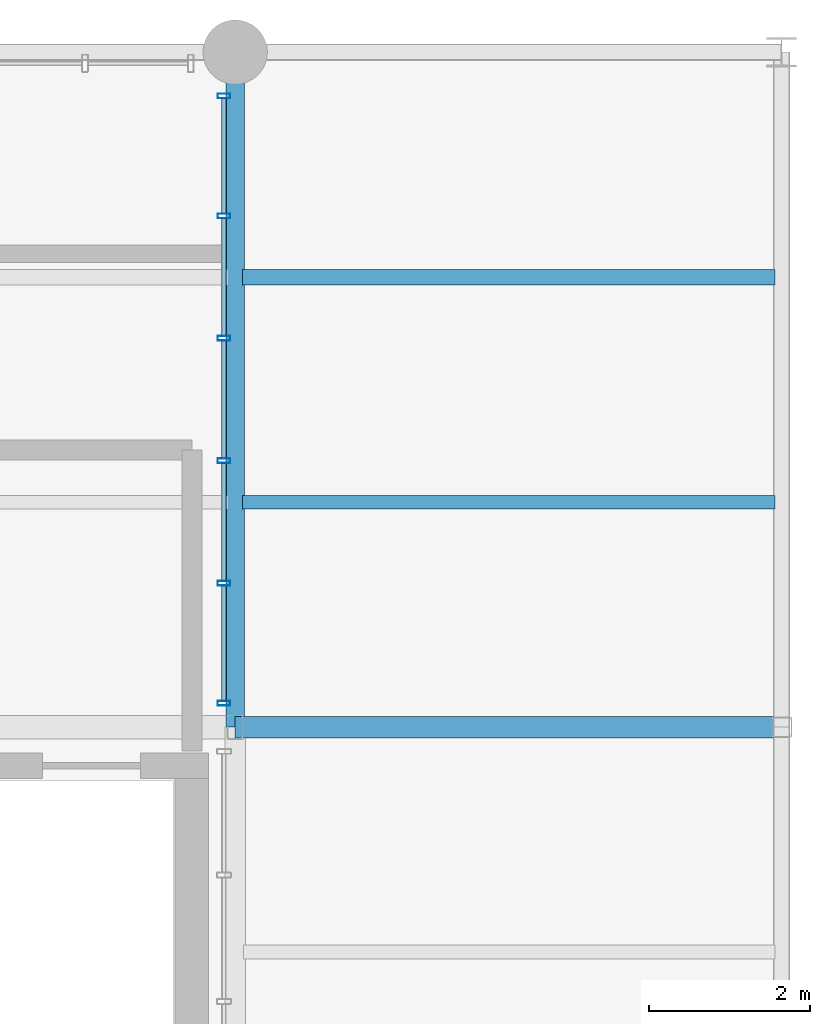
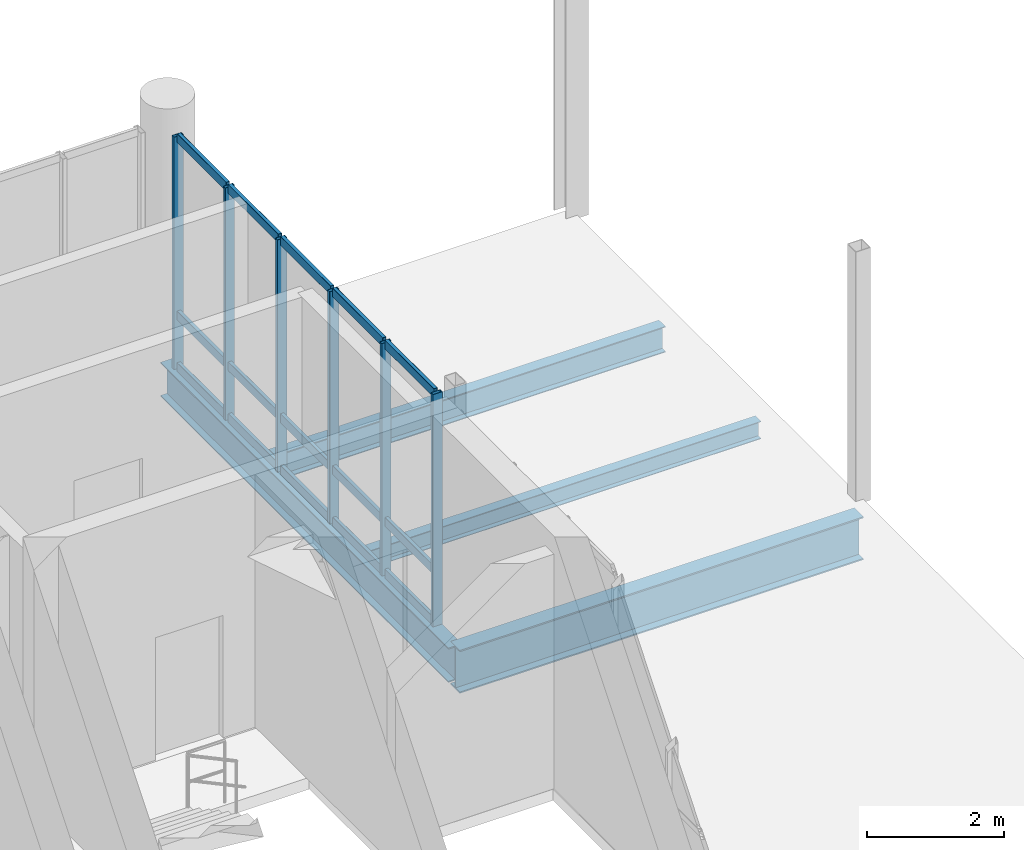
# One storey, part 46 of 68: 21 members, 4 beams, 1 element without a shape of its own.
"""IFC4 building model written with IfcOpenShell, lengths in metres."""

from ifc_helpers import new_model, si_unit, direction, frame, origin_with_axes, origin_2d_with_axis, place, context, subcontext, project, spatial, hollow_rectangle, i_section, extrude, material, material_profile, profile_set, type_object, element, aggregate, save


model = new_model("IFC4")

# Units and contexts
model_context = context("Model", 3, precision=1e-05, world=origin_with_axes(), true_north=direction((0.0, 1.0)))
body_context = subcontext(model_context, "Body", "Model", "MODEL_VIEW")
ifc_project = project(units=[si_unit("LENGTHUNIT", "METRE"), si_unit("AREAUNIT", "SQUARE_METRE"), si_unit("VOLUMEUNIT", "CUBIC_METRE"), si_unit("PLANEANGLEUNIT", "RADIAN"), si_unit("MASSUNIT", "GRAM", prefix="KILO"), si_unit("THERMODYNAMICTEMPERATUREUNIT", "KELVIN")], contexts=[model_context])

# Site, building, storey
site_placement = place(None, origin_with_axes())
site = spatial("IfcSite", under=ifc_project, at=site_placement, CompositionType="ELEMENT")
building_placement = place(site_placement, origin_with_axes())
building = spatial("IfcBuilding", under=site, at=building_placement, Name="Montbau Bow Law Courts", CompositionType="ELEMENT")
storey_placement = place(building_placement, frame((0.0, 0.0, 20.4), z_axis=(0.0, 0.0, 1.0), x_axis=(1.0, 0.0, 0.0)))
storey = spatial("IfcBuildingStorey", under=building, at=storey_placement, Name="L04", CompositionType="ELEMENT", Elevation=20.4)

# Beams
ifc_material_1 = material(Name="Steel CSA G40.21 Grade 350W (350 MPa)", Category="steel")
ifc_material_profile_1 = material_profile(ifc_material_1, i_section(OverallWidth=0.267, OverallDepth=0.766, WebThickness=0.0149, FlangeThickness=0.0236, at=origin_2d_with_axis()), Name="W760X185", Category="Main", Priority=0)
ifc_profile_set_1 = profile_set([ifc_material_profile_1], Name="Steel CSA G40.21 Grade 350W (350 MPa)")
beam_type_1 = type_object("IfcBeamType", Name="B-FLR-03", PredefinedType="BEAM", material=ifc_profile_set_1)
beam_1_placement = place(None, frame((162.6, 94.8, 19.767), z_axis=(1.0, 0.0, 0.0), x_axis=(0.0, 1.0, 0.0)))
element("IfcBeam", 1, at=beam_1_placement, inside=storey, type_object=beam_type_1, Name="BM-L04-S1260:bm2_1263", PredefinedType="BEAM", context=body_context, shape_type="SweptSolid", body=[
    extrude(i_section(OverallWidth=0.267, OverallDepth=0.766, WebThickness=0.0149, FlangeThickness=0.0236, at=origin_2d_with_axis()), origin_with_axes(), (0.0, 0.0, 1.0), 6.8),
])
ifc_material_profile_2 = material_profile(ifc_material_1, i_section(OverallWidth=0.229, OverallDepth=0.612, WebThickness=0.0119, FlangeThickness=0.0196, at=origin_2d_with_axis()), Name="W610X125", Category="Main", Priority=0)
ifc_profile_set_2 = profile_set([ifc_material_profile_2], Name="Steel CSA G40.21 Grade 350W (350 MPa)")
beam_type_2 = type_object("IfcBeamType", Name="B-FLR-05", PredefinedType="BEAM", material=ifc_profile_set_2)
beam_2_placement = place(None, frame((162.6, 94.8, 19.844), z_axis=(0.0, 1.0, 0.0), x_axis=(-1.0, 0.0, 0.0)))
element("IfcBeam", 2, at=beam_2_placement, inside=storey, type_object=beam_type_2, Name="BM-L04-S1280:bm2_1283", PredefinedType="BEAM", context=body_context, shape_type="SweptSolid", body=[
    extrude(i_section(OverallWidth=0.229, OverallDepth=0.612, WebThickness=0.0119, FlangeThickness=0.0196, at=origin_2d_with_axis()), origin_with_axes(), (0.0, 0.0, 1.0), 8.4),
])
ifc_material_profile_3 = material_profile(ifc_material_1, i_section(OverallWidth=0.191, OverallDepth=0.46, WebThickness=0.0099, FlangeThickness=0.016, at=origin_2d_with_axis()), Name="W460X82", Category="Main", Priority=0)
ifc_profile_set_3 = profile_set([ifc_material_profile_3], Name="Steel CSA G40.21 Grade 350W (350 MPa)")
beam_type_3 = type_object("IfcBeamType", Name="B-JST-01", PredefinedType="JOIST", material=ifc_profile_set_3)
beam_3_placement = place(None, frame((162.69, 100.4, 19.92), z_axis=(1.0, 0.0, 0.0), x_axis=(0.0, 1.0, 0.0)))
element("IfcBeam", 3, at=beam_3_placement, inside=storey, type_object=beam_type_3, Name="JST-L04-S0692:jst2_0692", PredefinedType="JOIST", context=body_context, shape_type="SweptSolid", body=[
    extrude(i_section(OverallWidth=0.191, OverallDepth=0.46, WebThickness=0.0099, FlangeThickness=0.016, at=origin_2d_with_axis()), origin_with_axes(), (0.0, 0.0, 1.0), 6.63),
])
ifc_material_profile_4 = material_profile(ifc_material_1, i_section(OverallWidth=0.166, OverallDepth=0.313, WebThickness=0.0066, FlangeThickness=0.0112, at=origin_2d_with_axis()), Name="W310X45", Category="Main", Priority=0)
ifc_profile_set_4 = profile_set([ifc_material_profile_4], Name="Steel CSA G40.21 Grade 350W (350 MPa)")
beam_type_4 = type_object("IfcBeamType", Name="B-JST-04", PredefinedType="JOIST", material=ifc_profile_set_4)
beam_4_placement = place(None, frame((162.69, 97.6, 19.993), z_axis=(1.0, 0.0, 0.0), x_axis=(0.0, 1.0, 0.0)))
element("IfcBeam", 4, at=beam_4_placement, inside=storey, type_object=beam_type_4, Name="JST-L04-S0691:jst2_0691", PredefinedType="JOIST", context=body_context, shape_type="SweptSolid", body=[
    extrude(i_section(OverallWidth=0.166, OverallDepth=0.313, WebThickness=0.0066, FlangeThickness=0.0112, at=origin_2d_with_axis()), origin_with_axes(), (0.0, 0.0, 1.0), 6.63),
])

# Curtain wall, members
ifc_material_2 = material(Name="Thermally Broken Extruded Aluminium AA 6063-T6", Category="aluminium")
curtain_wall_type = type_object("IfcCurtainWallType", Name="CW-NCK-01", PredefinedType="NOTDEFINED", material=ifc_material_2)
curtain_wall_placement = place(None, frame((162.46, 95.067, 20.4), z_axis=(0.0, 0.0, 1.0), x_axis=(1.0, 0.0, 0.0)))
curtain_wall = element("IfcCurtainWall", 5, at=curtain_wall_placement, inside=storey, type_object=curtain_wall_type, Name="CW-L04-332:cw_0332", PredefinedType="NOTDEFINED")
ifc_material_profile_5 = material_profile(ifc_material_2, hollow_rectangle(XDim=0.06, YDim=0.16, WallThickness=0.004, InnerFilletRadius=0.008, OuterFilletRadius=0.004, at=origin_2d_with_axis()), Name="CWM-160X60", Category="Main", Priority=0)
ifc_profile_set_5 = profile_set([ifc_material_profile_5], Name="Thermally Broken Extruded Aluminium AA 6063-T6")
member_type_1 = type_object("IfcMemberType", Name="M-MUL-03", PredefinedType="MULLION", material=ifc_profile_set_5)
member_1_placement = place(None, frame((162.46, 95.097, 20.4), z_axis=(0.0, 0.0, 1.0), x_axis=(0.0, 1.0, 0.0)))
member_1 = element("IfcMember", 6, at=member_1_placement, type_object=member_type_1, Name="CW-L04-332-M01:cw_0332_M01", PredefinedType="MULLION", context=body_context, shape_type="SweptSolid", body=[
    extrude(hollow_rectangle(XDim=0.06, YDim=0.16, WallThickness=0.004, InnerFilletRadius=0.008, OuterFilletRadius=0.004, at=origin_2d_with_axis()), origin_with_axes(), (0.0, 0.0, 1.0), 4.14),
])
member_2_placement = place(None, frame((162.46, 96.591, 20.4), z_axis=(0.0, 0.0, 1.0), x_axis=(0.0, 1.0, 0.0)))
member_2 = element("IfcMember", 7, at=member_2_placement, type_object=member_type_1, Name="CW-L04-332-M02:cw_0332_M02", PredefinedType="MULLION", context=body_context, shape_type="SweptSolid", body=[
    extrude(hollow_rectangle(XDim=0.06, YDim=0.16, WallThickness=0.004, InnerFilletRadius=0.008, OuterFilletRadius=0.004, at=origin_2d_with_axis()), origin_with_axes(), (0.0, 0.0, 1.0), 4.14),
])
member_3_placement = place(None, frame((162.46, 98.114, 20.4), z_axis=(0.0, 0.0, 1.0), x_axis=(0.0, 1.0, 0.0)))
member_3 = element("IfcMember", 8, at=member_3_placement, type_object=member_type_1, Name="CW-L04-332-M03:cw_0332_M03", PredefinedType="MULLION", context=body_context, shape_type="SweptSolid", body=[
    extrude(hollow_rectangle(XDim=0.06, YDim=0.16, WallThickness=0.004, InnerFilletRadius=0.008, OuterFilletRadius=0.004, at=origin_2d_with_axis()), origin_with_axes(), (0.0, 0.0, 1.0), 4.14),
])
member_4_placement = place(None, frame((162.46, 99.638, 20.4), z_axis=(0.0, 0.0, 1.0), x_axis=(0.0, 1.0, 0.0)))
member_4 = element("IfcMember", 9, at=member_4_placement, type_object=member_type_1, Name="CW-L04-332-M04:cw_0332_M04", PredefinedType="MULLION", context=body_context, shape_type="SweptSolid", body=[
    extrude(hollow_rectangle(XDim=0.06, YDim=0.16, WallThickness=0.004, InnerFilletRadius=0.008, OuterFilletRadius=0.004, at=origin_2d_with_axis()), origin_with_axes(), (0.0, 0.0, 1.0), 4.14),
])
member_5_placement = place(None, frame((162.46, 101.161, 20.4), z_axis=(0.0, 0.0, 1.0), x_axis=(0.0, 1.0, 0.0)))
member_5 = element("IfcMember", 10, at=member_5_placement, type_object=member_type_1, Name="CW-L04-332-M05:cw_0332_M05", PredefinedType="MULLION", context=body_context, shape_type="SweptSolid", body=[
    extrude(hollow_rectangle(XDim=0.06, YDim=0.16, WallThickness=0.004, InnerFilletRadius=0.008, OuterFilletRadius=0.004, at=origin_2d_with_axis()), origin_with_axes(), (0.0, 0.0, 1.0), 4.14),
])
member_6_placement = place(None, frame((162.46, 102.655, 20.4), z_axis=(0.0, 0.0, 1.0), x_axis=(0.0, 1.0, 0.0)))
member_6 = element("IfcMember", 11, at=member_6_placement, type_object=member_type_1, Name="CW-L04-332-M06:cw_0332_M06", PredefinedType="MULLION", context=body_context, shape_type="SweptSolid", body=[
    extrude(hollow_rectangle(XDim=0.06, YDim=0.16, WallThickness=0.004, InnerFilletRadius=0.008, OuterFilletRadius=0.004, at=origin_2d_with_axis()), origin_with_axes(), (0.0, 0.0, 1.0), 4.14),
])
ifc_material_profile_6 = material_profile(ifc_material_2, hollow_rectangle(XDim=0.06, YDim=0.16, WallThickness=0.004, InnerFilletRadius=0.008, OuterFilletRadius=0.004, at=origin_2d_with_axis()), Name="CWT-160X60", Category="Main", Priority=0)
ifc_profile_set_6 = profile_set([ifc_material_profile_6], Name="Thermally Broken Extruded Aluminium AA 6063-T6")
member_type_2 = type_object("IfcMemberType", Name="M-TRN-01", PredefinedType="USERDEFINED", material=ifc_profile_set_6)
member_7_placement = place(None, frame((162.46, 95.129, 20.43), z_axis=(0.0, 1.0, 0.0), x_axis=(-1.0, 0.0, 0.0)))
member_7 = element("IfcMember", 12, at=member_7_placement, type_object=member_type_2, Name="CW-L04-332-T01-1:cw_0332_T01_1", ObjectType="TRANSOM", PredefinedType="USERDEFINED", context=body_context, shape_type="SweptSolid", body=[
    extrude(hollow_rectangle(XDim=0.06, YDim=0.16, WallThickness=0.004, InnerFilletRadius=0.008, OuterFilletRadius=0.004, at=origin_2d_with_axis()), origin_with_axes(), (0.0, 0.0, 1.0), 1.43),
])
member_8_placement = place(None, frame((162.46, 95.129, 21.35), z_axis=(0.0, 1.0, 0.0), x_axis=(-1.0, 0.0, 0.0)))
member_8 = element("IfcMember", 13, at=member_8_placement, type_object=member_type_2, Name="CW-L04-332-T01-2:cw_0332_T01_2", ObjectType="TRANSOM", PredefinedType="USERDEFINED", context=body_context, shape_type="SweptSolid", body=[
    extrude(hollow_rectangle(XDim=0.06, YDim=0.16, WallThickness=0.004, InnerFilletRadius=0.008, OuterFilletRadius=0.004, at=origin_2d_with_axis()), origin_with_axes(), (0.0, 0.0, 1.0), 1.43),
])
member_9_placement = place(None, frame((162.46, 95.129, 24.51), z_axis=(0.0, 1.0, 0.0), x_axis=(-1.0, 0.0, 0.0)))
member_9 = element("IfcMember", 14, at=member_9_placement, type_object=member_type_2, Name="CW-L04-332-T01-3:cw_0332_T01_3", ObjectType="TRANSOM", PredefinedType="USERDEFINED", context=body_context, shape_type="SweptSolid", body=[
    extrude(hollow_rectangle(XDim=0.06, YDim=0.16, WallThickness=0.004, InnerFilletRadius=0.008, OuterFilletRadius=0.004, at=origin_2d_with_axis()), origin_with_axes(), (0.0, 0.0, 1.0), 1.43),
])
member_10_placement = place(None, frame((162.46, 96.623, 20.43), z_axis=(0.0, 1.0, 0.0), x_axis=(-1.0, 0.0, 0.0)))
member_10 = element("IfcMember", 15, at=member_10_placement, type_object=member_type_2, Name="CW-L04-332-T02-1:cw_0332_T02_1", ObjectType="TRANSOM", PredefinedType="USERDEFINED", context=body_context, shape_type="SweptSolid", body=[
    extrude(hollow_rectangle(XDim=0.06, YDim=0.16, WallThickness=0.004, InnerFilletRadius=0.008, OuterFilletRadius=0.004, at=origin_2d_with_axis()), origin_with_axes(), (0.0, 0.0, 1.0), 1.459),
])
member_11_placement = place(None, frame((162.46, 96.623, 21.35), z_axis=(0.0, 1.0, 0.0), x_axis=(-1.0, 0.0, 0.0)))
member_11 = element("IfcMember", 16, at=member_11_placement, type_object=member_type_2, Name="CW-L04-332-T02-2:cw_0332_T02_2", ObjectType="TRANSOM", PredefinedType="USERDEFINED", context=body_context, shape_type="SweptSolid", body=[
    extrude(hollow_rectangle(XDim=0.06, YDim=0.16, WallThickness=0.004, InnerFilletRadius=0.008, OuterFilletRadius=0.004, at=origin_2d_with_axis()), origin_with_axes(), (0.0, 0.0, 1.0), 1.459),
])
member_12_placement = place(None, frame((162.46, 96.623, 24.51), z_axis=(0.0, 1.0, 0.0), x_axis=(-1.0, 0.0, 0.0)))
member_12 = element("IfcMember", 17, at=member_12_placement, type_object=member_type_2, Name="CW-L04-332-T02-3:cw_0332_T02_3", ObjectType="TRANSOM", PredefinedType="USERDEFINED", context=body_context, shape_type="SweptSolid", body=[
    extrude(hollow_rectangle(XDim=0.06, YDim=0.16, WallThickness=0.004, InnerFilletRadius=0.008, OuterFilletRadius=0.004, at=origin_2d_with_axis()), origin_with_axes(), (0.0, 0.0, 1.0), 1.459),
])
member_13_placement = place(None, frame((162.46, 98.146, 20.43), z_axis=(0.0, 1.0, 0.0), x_axis=(-1.0, 0.0, 0.0)))
member_13 = element("IfcMember", 18, at=member_13_placement, type_object=member_type_2, Name="CW-L04-332-T03-1:cw_0332_T03_1", ObjectType="TRANSOM", PredefinedType="USERDEFINED", context=body_context, shape_type="SweptSolid", body=[
    extrude(hollow_rectangle(XDim=0.06, YDim=0.16, WallThickness=0.004, InnerFilletRadius=0.008, OuterFilletRadius=0.004, at=origin_2d_with_axis()), origin_with_axes(), (0.0, 0.0, 1.0), 1.46),
])
member_14_placement = place(None, frame((162.46, 98.146, 21.35), z_axis=(0.0, 1.0, 0.0), x_axis=(-1.0, 0.0, 0.0)))
member_14 = element("IfcMember", 19, at=member_14_placement, type_object=member_type_2, Name="CW-L04-332-T03-2:cw_0332_T03_2", ObjectType="TRANSOM", PredefinedType="USERDEFINED", context=body_context, shape_type="SweptSolid", body=[
    extrude(hollow_rectangle(XDim=0.06, YDim=0.16, WallThickness=0.004, InnerFilletRadius=0.008, OuterFilletRadius=0.004, at=origin_2d_with_axis()), origin_with_axes(), (0.0, 0.0, 1.0), 1.46),
])
member_15_placement = place(None, frame((162.46, 98.146, 24.51), z_axis=(0.0, 1.0, 0.0), x_axis=(-1.0, 0.0, 0.0)))
member_15 = element("IfcMember", 20, at=member_15_placement, type_object=member_type_2, Name="CW-L04-332-T03-3:cw_0332_T03_3", ObjectType="TRANSOM", PredefinedType="USERDEFINED", context=body_context, shape_type="SweptSolid", body=[
    extrude(hollow_rectangle(XDim=0.06, YDim=0.16, WallThickness=0.004, InnerFilletRadius=0.008, OuterFilletRadius=0.004, at=origin_2d_with_axis()), origin_with_axes(), (0.0, 0.0, 1.0), 1.46),
])
member_16_placement = place(None, frame((162.46, 99.67, 20.43), z_axis=(0.0, 1.0, 0.0), x_axis=(-1.0, 0.0, 0.0)))
member_16 = element("IfcMember", 21, at=member_16_placement, type_object=member_type_2, Name="CW-L04-332-T04-1:cw_0332_T04_1", ObjectType="TRANSOM", PredefinedType="USERDEFINED", context=body_context, shape_type="SweptSolid", body=[
    extrude(hollow_rectangle(XDim=0.06, YDim=0.16, WallThickness=0.004, InnerFilletRadius=0.008, OuterFilletRadius=0.004, at=origin_2d_with_axis()), origin_with_axes(), (0.0, 0.0, 1.0), 1.459),
])
member_17_placement = place(None, frame((162.46, 99.67, 21.35), z_axis=(0.0, 1.0, 0.0), x_axis=(-1.0, 0.0, 0.0)))
member_17 = element("IfcMember", 22, at=member_17_placement, type_object=member_type_2, Name="CW-L04-332-T04-2:cw_0332_T04_2", ObjectType="TRANSOM", PredefinedType="USERDEFINED", context=body_context, shape_type="SweptSolid", body=[
    extrude(hollow_rectangle(XDim=0.06, YDim=0.16, WallThickness=0.004, InnerFilletRadius=0.008, OuterFilletRadius=0.004, at=origin_2d_with_axis()), origin_with_axes(), (0.0, 0.0, 1.0), 1.459),
])
member_18_placement = place(None, frame((162.46, 99.67, 24.51), z_axis=(0.0, 1.0, 0.0), x_axis=(-1.0, 0.0, 0.0)))
member_18 = element("IfcMember", 23, at=member_18_placement, type_object=member_type_2, Name="CW-L04-332-T04-3:cw_0332_T04_3", ObjectType="TRANSOM", PredefinedType="USERDEFINED", context=body_context, shape_type="SweptSolid", body=[
    extrude(hollow_rectangle(XDim=0.06, YDim=0.16, WallThickness=0.004, InnerFilletRadius=0.008, OuterFilletRadius=0.004, at=origin_2d_with_axis()), origin_with_axes(), (0.0, 0.0, 1.0), 1.459),
])
member_19_placement = place(None, frame((162.46, 101.193, 20.43), z_axis=(0.0, 1.0, 0.0), x_axis=(-1.0, 0.0, 0.0)))
member_19 = element("IfcMember", 24, at=member_19_placement, type_object=member_type_2, Name="CW-L04-332-T05-1:cw_0332_T05_1", ObjectType="TRANSOM", PredefinedType="USERDEFINED", context=body_context, shape_type="SweptSolid", body=[
    extrude(hollow_rectangle(XDim=0.06, YDim=0.16, WallThickness=0.004, InnerFilletRadius=0.008, OuterFilletRadius=0.004, at=origin_2d_with_axis()), origin_with_axes(), (0.0, 0.0, 1.0), 1.43),
])
member_20_placement = place(None, frame((162.46, 101.193, 21.35), z_axis=(0.0, 1.0, 0.0), x_axis=(-1.0, 0.0, 0.0)))
member_20 = element("IfcMember", 25, at=member_20_placement, type_object=member_type_2, Name="CW-L04-332-T05-2:cw_0332_T05_2", ObjectType="TRANSOM", PredefinedType="USERDEFINED", context=body_context, shape_type="SweptSolid", body=[
    extrude(hollow_rectangle(XDim=0.06, YDim=0.16, WallThickness=0.004, InnerFilletRadius=0.008, OuterFilletRadius=0.004, at=origin_2d_with_axis()), origin_with_axes(), (0.0, 0.0, 1.0), 1.43),
])
member_21_placement = place(None, frame((162.46, 101.193, 24.51), z_axis=(0.0, 1.0, 0.0), x_axis=(-1.0, 0.0, 0.0)))
member_21 = element("IfcMember", 26, at=member_21_placement, type_object=member_type_2, Name="CW-L04-332-T05-3:cw_0332_T05_3", ObjectType="TRANSOM", PredefinedType="USERDEFINED", context=body_context, shape_type="SweptSolid", body=[
    extrude(hollow_rectangle(XDim=0.06, YDim=0.16, WallThickness=0.004, InnerFilletRadius=0.008, OuterFilletRadius=0.004, at=origin_2d_with_axis()), origin_with_axes(), (0.0, 0.0, 1.0), 1.43),
])
aggregate(curtain_wall, [member_1, member_2, member_3, member_4, member_5, member_6, member_7, member_8, member_9, member_10, member_11, member_12, member_13, member_14, member_15, member_16, member_17, member_18, member_19, member_20, member_21])

save(model, "model.ifc")
